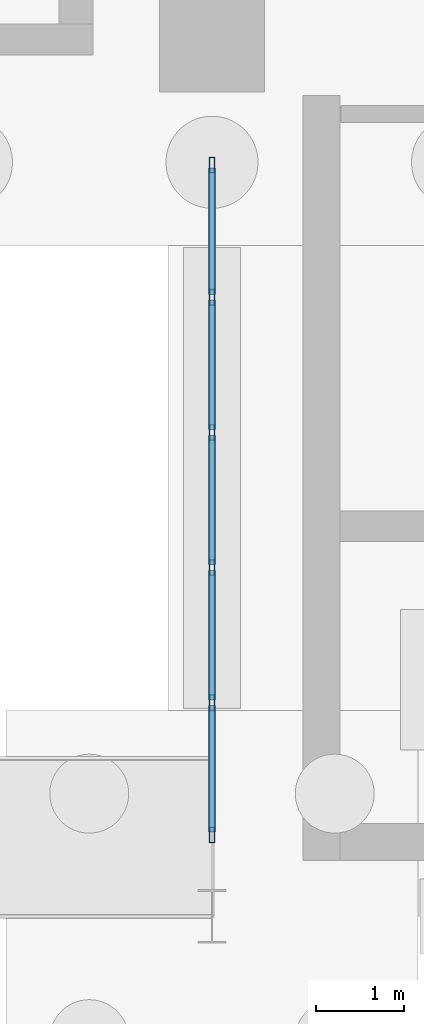
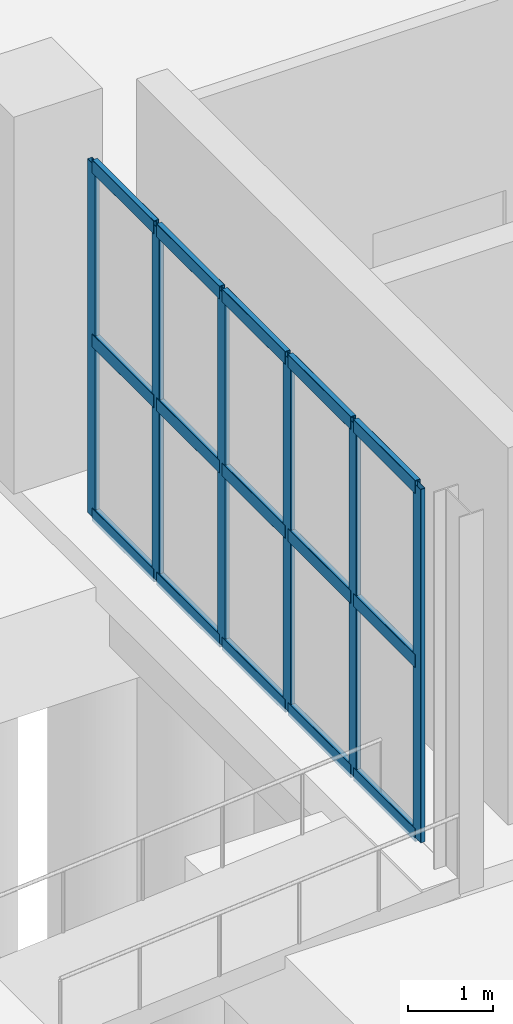
# One storey, part 31 of 70: 21 members, 1 element without a shape of its own.
"""IFC4 building model written with IfcOpenShell, lengths in metres."""

import ifcopenshell
import ifcopenshell.guid

model = None  # the IFC model being written
_history = None  # IfcOwnerHistory: only IFC2X3 demands one
_inside = {}  # id of a spatial element -> (the spatial element, [elements in it])
_under = {}  # id of a project, library or spatial element -> (it, [spatial elements below it])
_declared = {}  # id of a project -> (the project, [libraries it declares])
_typed = {}  # id of a type object -> (the type object, [elements of that type])
_made_of = {}  # id of a material, layer set ... -> (it, [elements and type objects made of it])


def new_model(schema):
    """Start an empty IFC model of exactly this schema.

    Asked for "IFC4X3", IfcOpenShell would pick the latest addendum, in which some entities
    have other attributes; the version numbers below select the first issue.
    IFC2X3 requires an IfcOwnerHistory on every rooted entity: one is made here for all.
    """
    global model, _history
    if schema == "IFC4X3":
        model = ifcopenshell.file(schema_version=(4, 3, 0, 0))
    else:
        model = ifcopenshell.file(schema=schema)
    _inside.clear()
    _under.clear()
    _declared.clear()
    _typed.clear()
    _made_of.clear()
    _history = None
    if model.schema == "IFC2X3":
        org = make("IfcOrganization", Name="unknown")
        user = make(
            "IfcPersonAndOrganization",
            ThePerson=make("IfcPerson", FamilyName="unknown"),
            TheOrganization=org,
        )
        app = make(
            "IfcApplication",
            ApplicationDeveloper=org,
            Version="unknown",
            ApplicationFullName="unknown",
            ApplicationIdentifier="unknown",
        )
        _history = make(
            "IfcOwnerHistory",
            OwningUser=user,
            OwningApplication=app,
            ChangeAction="ADDED",
            CreationDate=0,
        )
    return model


def make(cls, **values):
    """One entity of the class cls with the attributes given. An attribute that is None is left unset."""
    return model.create_entity(
        cls, **{name: value for name, value in values.items() if value is not None}
    )


def rooted(cls, **values):
    """An entity with a GlobalId (a new one), such as an element, a storey or a relation."""
    return make(cls, GlobalId=ifcopenshell.guid.new(), OwnerHistory=_history, **values)


def si_unit(unit_type, name, prefix=None):
    """IfcSIUnit, for example si_unit("LENGTHUNIT", "METRE", prefix="MILLI")."""
    return make("IfcSIUnit", UnitType=unit_type, Prefix=prefix, Name=name)


def assignment(units):
    """IfcUnitAssignment: the units of a project."""
    return None if units is None else make("IfcUnitAssignment", Units=units)


def point(xyz):
    """IfcCartesianPoint."""
    return None if xyz is None else make("IfcCartesianPoint", Coordinates=xyz)


def direction(xyz):
    """IfcDirection."""
    return None if xyz is None else make("IfcDirection", DirectionRatios=xyz)


def frame(location, z_axis=None, x_axis=None):
    """IfcAxis2Placement3D, a coordinate frame: its origin and axes. An axis left out is left unset."""
    return make(
        "IfcAxis2Placement3D",
        Location=point(location),
        Axis=direction(z_axis),
        RefDirection=direction(x_axis),
    )


def frame_2d(location, x_axis=None):
    """IfcAxis2Placement2D, a coordinate frame in the plane: its origin and x axis."""
    return make(
        "IfcAxis2Placement2D", Location=point(location), RefDirection=direction(x_axis)
    )


def origin():
    """The frame at (0, 0, 0) with its axes left unset."""
    return frame((0.0, 0.0, 0.0))


def origin_2d():
    """The frame at (0, 0) in the plane with its x axis left unset."""
    return frame_2d((0.0, 0.0))


def place(relative_to, where):
    """IfcLocalPlacement: puts the frame where relative to a parent placement (None: the world)."""
    return make(
        "IfcLocalPlacement", PlacementRelTo=relative_to, RelativePlacement=where
    )


def context(
    kind, dimensions, precision=None, world=None, true_north=None, identifier=None
):
    """IfcGeometricRepresentationContext, for example the 3D "Model" context."""
    return make(
        "IfcGeometricRepresentationContext",
        ContextIdentifier=identifier,
        ContextType=kind,
        CoordinateSpaceDimension=dimensions,
        Precision=precision,
        WorldCoordinateSystem=world,
        TrueNorth=true_north,
    )


def subcontext(parent, identifier, kind, view, scale=None):
    """IfcGeometricRepresentationSubContext, for example "Body" below "Model"."""
    return make(
        "IfcGeometricRepresentationSubContext",
        ContextIdentifier=identifier,
        ContextType=kind,
        ParentContext=parent,
        TargetScale=scale,
        TargetView=view,
    )


def project(units=None, contexts=None):
    """IfcProject with its units and contexts."""
    return rooted(
        "IfcProject",
        Name="project",
        RepresentationContexts=contexts,
        UnitsInContext=assignment(units),
    )


def spatial(cls, under=None, at=None, **own):
    """A site, building, storey or space (cls), placed at a placement, below another one or the project."""
    s = rooted(cls, ObjectPlacement=at, **own)
    if under is not None:
        _under.setdefault(under.id(), (under, []))[1].append(s)
    return s


def profile(cls, at=None, kind="AREA", **sizes):
    """A parametric profile (cls). Its sizes go by their IFC names, for example OverallWidth=200.0."""
    return make(cls, ProfileType=kind, Position=at, **sizes)


def hollow_rectangle(**sizes):
    """IfcRectangleHollowProfileDef."""
    return profile("IfcRectangleHollowProfileDef", **sizes)


def extrude(swept, where, along, depth):
    """IfcExtrudedAreaSolid: the profile swept, set in the frame where, extruded along a direction by depth."""
    return make(
        "IfcExtrudedAreaSolid",
        SweptArea=swept,
        Position=where,
        ExtrudedDirection=direction(along),
        Depth=depth,
    )


def shape(context_of_items, identifier, shape_type, items):
    """IfcShapeRepresentation: the items that make up one representation, for example the "Body"."""
    return make(
        "IfcShapeRepresentation",
        ContextOfItems=context_of_items,
        RepresentationIdentifier=identifier,
        RepresentationType=shape_type,
        Items=items,
    )


def material(Name=None, Category=None):
    """IfcMaterial."""
    return make("IfcMaterial", Name=Name, Category=Category)


def layer(
    of_material, thickness, ventilated=None, Name=None, Category=None, Priority=None
):
    """IfcMaterialLayer: one layer of a wall or slab, of a material (None: an air gap)."""
    return make(
        "IfcMaterialLayer",
        Material=of_material,
        LayerThickness=thickness,
        IsVentilated=ventilated,
        Name=Name,
        Category=Category,
        Priority=Priority,
    )


def layer_set(layers, Name=None):
    """IfcMaterialLayerSet."""
    return make("IfcMaterialLayerSet", MaterialLayers=layers, LayerSetName=Name)


def material_profile(
    of_material, cross_section, Name=None, Category=None, Priority=None
):
    """IfcMaterialProfile: a cross section and its material."""
    return make(
        "IfcMaterialProfile",
        Name=Name,
        Material=of_material,
        Profile=cross_section,
        Priority=Priority,
        Category=Category,
    )


def profile_set(profiles, Name=None, composite=None):
    """IfcMaterialProfileSet."""
    return make(
        "IfcMaterialProfileSet",
        Name=Name,
        MaterialProfiles=profiles,
        CompositeProfile=composite,
    )


def made_of(thing, what):
    """Note that an element or type object is made of a material, layer set ...; save() writes the relation."""
    if what is not None:
        _made_of.setdefault(what.id(), (what, []))[1].append(thing)
    return thing


def type_object(cls, material=None, **own):
    """A type object (cls), such as IfcWallType, which elements share."""
    return made_of(rooted(cls, **own), material)


def element(
    cls,
    number,
    at=None,
    inside=None,
    cuts=None,
    type_object=None,
    material=None,
    context=None,
    identifier="Body",
    shape_type=None,
    held_by="IfcProductDefinitionShape",
    body=None,
    shapes=None,
    **own,
):
    """One element of the class cls, such as IfcWall. Its Tag is "e" and its number.

    at: its placement. inside: the storey or other place that contains it. cuts: it is an
    opening in that element (IfcRelVoidsElement). A single representation is given by context,
    identifier, shape_type and body (its items); several are given by shapes. held_by: the class
    of the entity that holds the representations. save() writes the other relations.
    """
    e = rooted(cls, Tag="e%d" % number, ObjectPlacement=at, **own)
    if body is not None:
        shapes = [shape(context, identifier, shape_type, body)]
    if shapes is not None:
        e.Representation = make(held_by, Representations=shapes)
    if inside is not None:
        _inside.setdefault(inside.id(), (inside, []))[1].append(e)
    if cuts is not None:
        rooted(
            "IfcRelVoidsElement", RelatingBuildingElement=cuts, RelatedOpeningElement=e
        )
    if type_object is not None:
        _typed.setdefault(type_object.id(), (type_object, []))[1].append(e)
    return made_of(e, material)


def aggregate(whole, parts):
    """IfcRelAggregates: a whole, such as a stair, and the parts it consists of."""
    return rooted("IfcRelAggregates", RelatingObject=whole, RelatedObjects=parts)


def save(model, path):
    """Write the relations noted so far, then the file.

    IfcRelAggregates (storeys below a building ...), IfcRelContainedInSpatialStructure (elements
    in a storey), IfcRelDefinesByType, IfcRelAssociatesMaterial and IfcRelDeclares: one each for
    every whole, place, type object, material and project.
    """
    for whole, parts in _under.values():
        aggregate(whole, parts)
    for where, things in _inside.values():
        rooted(
            "IfcRelContainedInSpatialStructure",
            RelatedElements=things,
            RelatingStructure=where,
        )
    for kind, things in _typed.values():
        rooted("IfcRelDefinesByType", RelatedObjects=things, RelatingType=kind)
    for what, things in _made_of.values():
        rooted("IfcRelAssociatesMaterial", RelatedObjects=things, RelatingMaterial=what)
    for by, libraries in _declared.values():
        rooted("IfcRelDeclares", RelatingContext=by, RelatedDefinitions=libraries)
    model.write(path)


model = new_model("IFC4")

# Units and contexts
model_context = context("Model", 3, precision=1e-05, world=origin(), true_north=direction((0.0, 1.0)))
body_context = subcontext(model_context, "Body", "Model", "MODEL_VIEW")
ifc_project = project(units=[si_unit("LENGTHUNIT", "METRE"), si_unit("AREAUNIT", "SQUARE_METRE"), si_unit("VOLUMEUNIT", "CUBIC_METRE"), si_unit("PLANEANGLEUNIT", "RADIAN"), si_unit("MASSUNIT", "GRAM", prefix="KILO")], contexts=[model_context])

# Site, building, storey
site_placement = place(None, origin())
site = spatial("IfcSite", under=ifc_project, at=site_placement, CompositionType="ELEMENT")
building_placement = place(site_placement, origin())
building = spatial("IfcBuilding", under=site, at=building_placement, Name="Brinegate Civic Arena", CompositionType="ELEMENT")
storey_placement = place(building_placement, origin())
storey = spatial("IfcBuildingStorey", under=building, at=storey_placement, Name="L00", CompositionType="ELEMENT", Elevation=0.0)

# Curtain wall, members
ifc_material = material(Name="Marine grade aluminium", Category="aluminium")
ifc_layer = layer(ifc_material, 0.235107421875, Name="Marine grade aluminium")
ifc_layer_set = layer_set([ifc_layer], Name="Marine grade aluminium")
curtain_wall_type = type_object("IfcCurtainWallType", Name="CW-PORTAL-NORTH-01", PredefinedType="USERDEFINED", material=ifc_layer_set)
curtain_wall_placement = place(storey_placement, origin())
curtain_wall = element("IfcCurtainWall", 1, at=curtain_wall_placement, inside=storey, type_object=curtain_wall_type, Name="Curtain Wall CWA-008", ObjectType="PORTAL CURTAIN WALL", PredefinedType="USERDEFINED")
ifc_material_profile_1 = material_profile(ifc_material, hollow_rectangle(XDim=0.06494140625, YDim=0.179931640625, WallThickness=0.0048828125, InnerFilletRadius=0.00390625, OuterFilletRadius=0.008056640625, at=origin_2d()), Name="MUL65X180")
ifc_profile_set_1 = profile_set([ifc_material_profile_1], Name="Marine grade aluminium")
member_type_1 = type_object("IfcMemberType", Name="CW-MULLION-65X180", PredefinedType="MULLION", material=ifc_profile_set_1)
member_1_placement = place(storey_placement, frame((84.0, 0.928466796875, 0.0), z_axis=(0.0, 0.0, 1.0), x_axis=(-1.0, 0.0, 0.0)))
member_1 = element("IfcMember", 2, at=member_1_placement, type_object=member_type_1, Name="CWA-008 mullion 1", PredefinedType="MULLION", context=body_context, shape_type="SweptSolid", body=[
    extrude(hollow_rectangle(XDim=0.06494140625, YDim=0.179931640625, WallThickness=0.0048828125, InnerFilletRadius=0.00390625, OuterFilletRadius=0.008056640625, at=origin_2d()), origin(), (0.0, 0.0, 1.0), 5.06005859375),
])
member_2_placement = place(storey_placement, frame((84.0, 2.43701171875, 0.0), z_axis=(0.0, 0.0, 1.0), x_axis=(-1.0, 0.0, 0.0)))
member_2 = element("IfcMember", 3, at=member_2_placement, type_object=member_type_1, Name="CWA-008 mullion 2", PredefinedType="MULLION", context=body_context, shape_type="SweptSolid", body=[
    extrude(hollow_rectangle(XDim=0.06494140625, YDim=0.179931640625, WallThickness=0.0048828125, InnerFilletRadius=0.00390625, OuterFilletRadius=0.008056640625, at=origin_2d()), origin(), (0.0, 0.0, 1.0), 5.06005859375),
])
member_3_placement = place(storey_placement, frame((84.0, 3.97802734375, 0.0), z_axis=(0.0, 0.0, 1.0), x_axis=(-1.0, 0.0, 0.0)))
member_3 = element("IfcMember", 4, at=member_3_placement, type_object=member_type_1, Name="CWA-008 mullion 3", PredefinedType="MULLION", context=body_context, shape_type="SweptSolid", body=[
    extrude(hollow_rectangle(XDim=0.06494140625, YDim=0.179931640625, WallThickness=0.0048828125, InnerFilletRadius=0.00390625, OuterFilletRadius=0.008056640625, at=origin_2d()), origin(), (0.0, 0.0, 1.0), 5.06005859375),
])
member_4_placement = place(storey_placement, frame((84.0, 5.51904296875, 0.0), z_axis=(0.0, 0.0, 1.0), x_axis=(-1.0, 0.0, 0.0)))
member_4 = element("IfcMember", 5, at=member_4_placement, type_object=member_type_1, Name="CWA-008 mullion 4", PredefinedType="MULLION", context=body_context, shape_type="SweptSolid", body=[
    extrude(hollow_rectangle(XDim=0.06494140625, YDim=0.179931640625, WallThickness=0.0048828125, InnerFilletRadius=0.00390625, OuterFilletRadius=0.008056640625, at=origin_2d()), origin(), (0.0, 0.0, 1.0), 5.06005859375),
])
member_5_placement = place(storey_placement, frame((84.0, 7.06005859375, 0.0), z_axis=(0.0, 0.0, 1.0), x_axis=(-1.0, 0.0, 0.0)))
member_5 = element("IfcMember", 6, at=member_5_placement, type_object=member_type_1, Name="CWA-008 mullion 5", PredefinedType="MULLION", context=body_context, shape_type="SweptSolid", body=[
    extrude(hollow_rectangle(XDim=0.06494140625, YDim=0.179931640625, WallThickness=0.0048828125, InnerFilletRadius=0.00390625, OuterFilletRadius=0.008056640625, at=origin_2d()), origin(), (0.0, 0.0, 1.0), 5.06005859375),
])
member_6_placement = place(storey_placement, frame((84.0, 8.568603515625, 0.0), z_axis=(0.0, 0.0, 1.0), x_axis=(-1.0, 0.0, 0.0)))
member_6 = element("IfcMember", 7, at=member_6_placement, type_object=member_type_1, Name="CWA-008 mullion 6", PredefinedType="MULLION", context=body_context, shape_type="SweptSolid", body=[
    extrude(hollow_rectangle(XDim=0.06494140625, YDim=0.179931640625, WallThickness=0.0048828125, InnerFilletRadius=0.00390625, OuterFilletRadius=0.008056640625, at=origin_2d()), origin(), (0.0, 0.0, 1.0), 5.06005859375),
])
ifc_material_profile_2 = material_profile(ifc_material, hollow_rectangle(XDim=0.074951171875, YDim=0.18994140625, WallThickness=0.006103515625, InnerFilletRadius=0.00390625, OuterFilletRadius=0.008056640625, at=origin_2d()), Name="TRN75X190")
ifc_profile_set_2 = profile_set([ifc_material_profile_2], Name="Marine grade aluminium")
member_type_2 = type_object("IfcMemberType", Name="CW-TRANSOM-75X190", PredefinedType="USERDEFINED", material=ifc_profile_set_2)
member_7_placement = place(storey_placement, frame((84.0, 0.9609375, 0.03759765625), z_axis=(0.0, 1.0, 0.0), x_axis=(-1.0, 0.0, 0.0)))
member_7 = element("IfcMember", 8, at=member_7_placement, type_object=member_type_2, Name="CWA-008 transom 1.1", ObjectType="TRANSOM", PredefinedType="USERDEFINED", context=body_context, shape_type="SweptSolid", body=[
    extrude(hollow_rectangle(XDim=0.074951171875, YDim=0.18994140625, WallThickness=0.006103515625, InnerFilletRadius=0.00390625, OuterFilletRadius=0.008056640625, at=origin_2d()), origin(), (0.0, 0.0, 1.0), 1.443603515625),
])
member_8_placement = place(storey_placement, frame((84.0, 0.9609375, 2.530029296875), z_axis=(0.0, 1.0, 0.0), x_axis=(-1.0, 0.0, 0.0)))
member_8 = element("IfcMember", 9, at=member_8_placement, type_object=member_type_2, Name="CWA-008 transom 1.2", ObjectType="TRANSOM", PredefinedType="USERDEFINED", context=body_context, shape_type="SweptSolid", body=[
    extrude(hollow_rectangle(XDim=0.074951171875, YDim=0.18994140625, WallThickness=0.006103515625, InnerFilletRadius=0.00390625, OuterFilletRadius=0.008056640625, at=origin_2d()), origin(), (0.0, 0.0, 1.0), 1.443603515625),
])
member_9_placement = place(storey_placement, frame((84.0, 0.9609375, 5.0224609375), z_axis=(0.0, 1.0, 0.0), x_axis=(-1.0, 0.0, 0.0)))
member_9 = element("IfcMember", 10, at=member_9_placement, type_object=member_type_2, Name="CWA-008 transom 1.3", ObjectType="TRANSOM", PredefinedType="USERDEFINED", context=body_context, shape_type="SweptSolid", body=[
    extrude(hollow_rectangle(XDim=0.074951171875, YDim=0.18994140625, WallThickness=0.006103515625, InnerFilletRadius=0.00390625, OuterFilletRadius=0.008056640625, at=origin_2d()), origin(), (0.0, 0.0, 1.0), 1.443603515625),
])
member_10_placement = place(storey_placement, frame((84.0, 2.469482421875, 0.03759765625), z_axis=(0.0, 1.0, 0.0), x_axis=(-1.0, 0.0, 0.0)))
member_10 = element("IfcMember", 11, at=member_10_placement, type_object=member_type_2, Name="CWA-008 transom 2.1", ObjectType="TRANSOM", PredefinedType="USERDEFINED", context=body_context, shape_type="SweptSolid", body=[
    extrude(hollow_rectangle(XDim=0.074951171875, YDim=0.18994140625, WallThickness=0.006103515625, InnerFilletRadius=0.00390625, OuterFilletRadius=0.008056640625, at=origin_2d()), origin(), (0.0, 0.0, 1.0), 1.47607421875),
])
member_11_placement = place(storey_placement, frame((84.0, 2.469482421875, 2.530029296875), z_axis=(0.0, 1.0, 0.0), x_axis=(-1.0, 0.0, 0.0)))
member_11 = element("IfcMember", 12, at=member_11_placement, type_object=member_type_2, Name="CWA-008 transom 2.2", ObjectType="TRANSOM", PredefinedType="USERDEFINED", context=body_context, shape_type="SweptSolid", body=[
    extrude(hollow_rectangle(XDim=0.074951171875, YDim=0.18994140625, WallThickness=0.006103515625, InnerFilletRadius=0.00390625, OuterFilletRadius=0.008056640625, at=origin_2d()), origin(), (0.0, 0.0, 1.0), 1.47607421875),
])
member_12_placement = place(storey_placement, frame((84.0, 2.469482421875, 5.0224609375), z_axis=(0.0, 1.0, 0.0), x_axis=(-1.0, 0.0, 0.0)))
member_12 = element("IfcMember", 13, at=member_12_placement, type_object=member_type_2, Name="CWA-008 transom 2.3", ObjectType="TRANSOM", PredefinedType="USERDEFINED", context=body_context, shape_type="SweptSolid", body=[
    extrude(hollow_rectangle(XDim=0.074951171875, YDim=0.18994140625, WallThickness=0.006103515625, InnerFilletRadius=0.00390625, OuterFilletRadius=0.008056640625, at=origin_2d()), origin(), (0.0, 0.0, 1.0), 1.47607421875),
])
member_13_placement = place(storey_placement, frame((84.0, 4.010498046875, 0.03759765625), z_axis=(0.0, 1.0, 0.0), x_axis=(-1.0, 0.0, 0.0)))
member_13 = element("IfcMember", 14, at=member_13_placement, type_object=member_type_2, Name="CWA-008 transom 3.1", ObjectType="TRANSOM", PredefinedType="USERDEFINED", context=body_context, shape_type="SweptSolid", body=[
    extrude(hollow_rectangle(XDim=0.074951171875, YDim=0.18994140625, WallThickness=0.006103515625, InnerFilletRadius=0.00390625, OuterFilletRadius=0.008056640625, at=origin_2d()), origin(), (0.0, 0.0, 1.0), 1.47607421875),
])
member_14_placement = place(storey_placement, frame((84.0, 4.010498046875, 2.530029296875), z_axis=(0.0, 1.0, 0.0), x_axis=(-1.0, 0.0, 0.0)))
member_14 = element("IfcMember", 15, at=member_14_placement, type_object=member_type_2, Name="CWA-008 transom 3.2", ObjectType="TRANSOM", PredefinedType="USERDEFINED", context=body_context, shape_type="SweptSolid", body=[
    extrude(hollow_rectangle(XDim=0.074951171875, YDim=0.18994140625, WallThickness=0.006103515625, InnerFilletRadius=0.00390625, OuterFilletRadius=0.008056640625, at=origin_2d()), origin(), (0.0, 0.0, 1.0), 1.47607421875),
])
member_15_placement = place(storey_placement, frame((84.0, 4.010498046875, 5.0224609375), z_axis=(0.0, 1.0, 0.0), x_axis=(-1.0, 0.0, 0.0)))
member_15 = element("IfcMember", 16, at=member_15_placement, type_object=member_type_2, Name="CWA-008 transom 3.3", ObjectType="TRANSOM", PredefinedType="USERDEFINED", context=body_context, shape_type="SweptSolid", body=[
    extrude(hollow_rectangle(XDim=0.074951171875, YDim=0.18994140625, WallThickness=0.006103515625, InnerFilletRadius=0.00390625, OuterFilletRadius=0.008056640625, at=origin_2d()), origin(), (0.0, 0.0, 1.0), 1.47607421875),
])
member_16_placement = place(storey_placement, frame((84.0, 5.551513671875, 0.03759765625), z_axis=(0.0, 1.0, 0.0), x_axis=(-1.0, 0.0, 0.0)))
member_16 = element("IfcMember", 17, at=member_16_placement, type_object=member_type_2, Name="CWA-008 transom 4.1", ObjectType="TRANSOM", PredefinedType="USERDEFINED", context=body_context, shape_type="SweptSolid", body=[
    extrude(hollow_rectangle(XDim=0.074951171875, YDim=0.18994140625, WallThickness=0.006103515625, InnerFilletRadius=0.00390625, OuterFilletRadius=0.008056640625, at=origin_2d()), origin(), (0.0, 0.0, 1.0), 1.47607421875),
])
member_17_placement = place(storey_placement, frame((84.0, 5.551513671875, 2.530029296875), z_axis=(0.0, 1.0, 0.0), x_axis=(-1.0, 0.0, 0.0)))
member_17 = element("IfcMember", 18, at=member_17_placement, type_object=member_type_2, Name="CWA-008 transom 4.2", ObjectType="TRANSOM", PredefinedType="USERDEFINED", context=body_context, shape_type="SweptSolid", body=[
    extrude(hollow_rectangle(XDim=0.074951171875, YDim=0.18994140625, WallThickness=0.006103515625, InnerFilletRadius=0.00390625, OuterFilletRadius=0.008056640625, at=origin_2d()), origin(), (0.0, 0.0, 1.0), 1.47607421875),
])
member_18_placement = place(storey_placement, frame((84.0, 5.551513671875, 5.0224609375), z_axis=(0.0, 1.0, 0.0), x_axis=(-1.0, 0.0, 0.0)))
member_18 = element("IfcMember", 19, at=member_18_placement, type_object=member_type_2, Name="CWA-008 transom 4.3", ObjectType="TRANSOM", PredefinedType="USERDEFINED", context=body_context, shape_type="SweptSolid", body=[
    extrude(hollow_rectangle(XDim=0.074951171875, YDim=0.18994140625, WallThickness=0.006103515625, InnerFilletRadius=0.00390625, OuterFilletRadius=0.008056640625, at=origin_2d()), origin(), (0.0, 0.0, 1.0), 1.47607421875),
])
member_19_placement = place(storey_placement, frame((84.0, 7.092529296875, 0.03759765625), z_axis=(0.0, 1.0, 0.0), x_axis=(-1.0, 0.0, 0.0)))
member_19 = element("IfcMember", 20, at=member_19_placement, type_object=member_type_2, Name="CWA-008 transom 5.1", ObjectType="TRANSOM", PredefinedType="USERDEFINED", context=body_context, shape_type="SweptSolid", body=[
    extrude(hollow_rectangle(XDim=0.074951171875, YDim=0.18994140625, WallThickness=0.006103515625, InnerFilletRadius=0.00390625, OuterFilletRadius=0.008056640625, at=origin_2d()), origin(), (0.0, 0.0, 1.0), 1.443359375),
])
member_20_placement = place(storey_placement, frame((84.0, 7.092529296875, 2.530029296875), z_axis=(0.0, 1.0, 0.0), x_axis=(-1.0, 0.0, 0.0)))
member_20 = element("IfcMember", 21, at=member_20_placement, type_object=member_type_2, Name="CWA-008 transom 5.2", ObjectType="TRANSOM", PredefinedType="USERDEFINED", context=body_context, shape_type="SweptSolid", body=[
    extrude(hollow_rectangle(XDim=0.074951171875, YDim=0.18994140625, WallThickness=0.006103515625, InnerFilletRadius=0.00390625, OuterFilletRadius=0.008056640625, at=origin_2d()), origin(), (0.0, 0.0, 1.0), 1.443359375),
])
member_21_placement = place(storey_placement, frame((84.0, 7.092529296875, 5.0224609375), z_axis=(0.0, 1.0, 0.0), x_axis=(-1.0, 0.0, 0.0)))
member_21 = element("IfcMember", 22, at=member_21_placement, type_object=member_type_2, Name="CWA-008 transom 5.3", ObjectType="TRANSOM", PredefinedType="USERDEFINED", context=body_context, shape_type="SweptSolid", body=[
    extrude(hollow_rectangle(XDim=0.074951171875, YDim=0.18994140625, WallThickness=0.006103515625, InnerFilletRadius=0.00390625, OuterFilletRadius=0.008056640625, at=origin_2d()), origin(), (0.0, 0.0, 1.0), 1.443359375),
])
aggregate(curtain_wall, [member_1, member_2, member_3, member_4, member_5, member_6, member_7, member_8, member_9, member_10, member_11, member_12, member_13, member_14, member_15, member_16, member_17, member_18, member_19, member_20, member_21])

save(model, "model.ifc")
